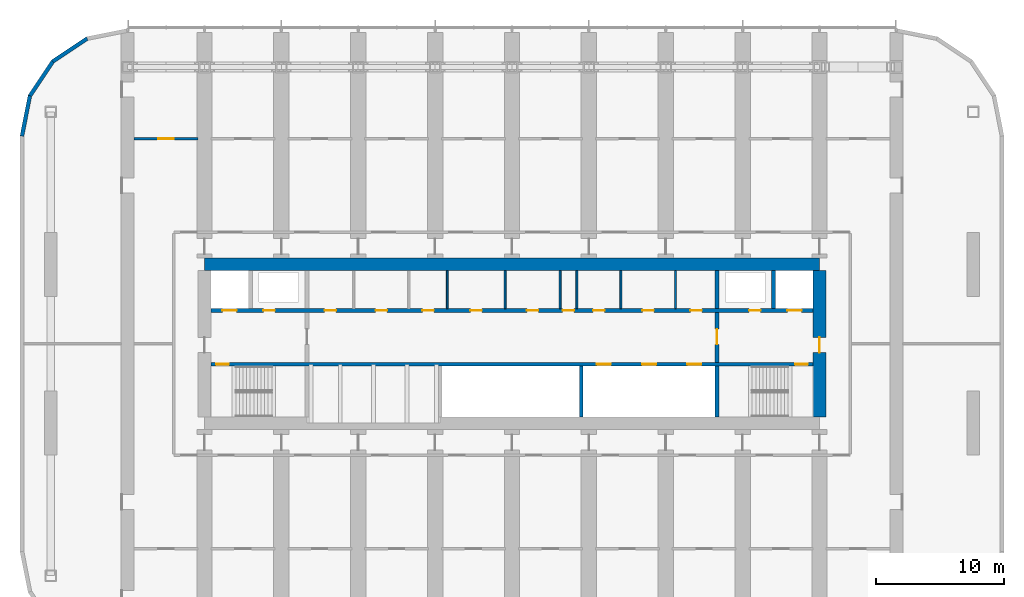
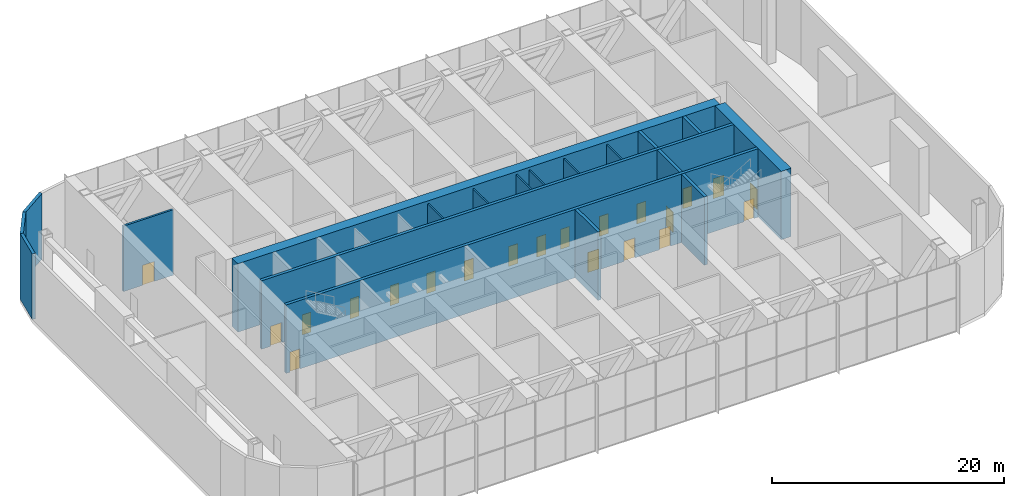
# One storey, part 12 of 24: 21 doors, 19 walls, 21 openings.
"""IFC4 building model written with IfcOpenShell, lengths in metres."""

import ifcopenshell
import ifcopenshell.guid

model = None  # the IFC model being written
_history = None  # IfcOwnerHistory: only IFC2X3 demands one
_inside = {}  # id of a spatial element -> (the spatial element, [elements in it])
_under = {}  # id of a project, library or spatial element -> (it, [spatial elements below it])
_declared = {}  # id of a project -> (the project, [libraries it declares])
_typed = {}  # id of a type object -> (the type object, [elements of that type])
_made_of = {}  # id of a material, layer set ... -> (it, [elements and type objects made of it])


def new_model(schema):
    """Start an empty IFC model of exactly this schema.

    Asked for "IFC4X3", IfcOpenShell would pick the latest addendum, in which some entities
    have other attributes; the version numbers below select the first issue.
    IFC2X3 requires an IfcOwnerHistory on every rooted entity: one is made here for all.
    """
    global model, _history
    if schema == "IFC4X3":
        model = ifcopenshell.file(schema_version=(4, 3, 0, 0))
    else:
        model = ifcopenshell.file(schema=schema)
    _inside.clear()
    _under.clear()
    _declared.clear()
    _typed.clear()
    _made_of.clear()
    _history = None
    if model.schema == "IFC2X3":
        org = make("IfcOrganization", Name="unknown")
        user = make(
            "IfcPersonAndOrganization",
            ThePerson=make("IfcPerson", FamilyName="unknown"),
            TheOrganization=org,
        )
        app = make(
            "IfcApplication",
            ApplicationDeveloper=org,
            Version="unknown",
            ApplicationFullName="unknown",
            ApplicationIdentifier="unknown",
        )
        _history = make(
            "IfcOwnerHistory",
            OwningUser=user,
            OwningApplication=app,
            ChangeAction="ADDED",
            CreationDate=0,
        )
    return model


def make(cls, **values):
    """One entity of the class cls with the attributes given. An attribute that is None is left unset."""
    return model.create_entity(
        cls, **{name: value for name, value in values.items() if value is not None}
    )


def rooted(cls, **values):
    """An entity with a GlobalId (a new one), such as an element, a storey or a relation."""
    return make(cls, GlobalId=ifcopenshell.guid.new(), OwnerHistory=_history, **values)


def si_unit(unit_type, name, prefix=None):
    """IfcSIUnit, for example si_unit("LENGTHUNIT", "METRE", prefix="MILLI")."""
    return make("IfcSIUnit", UnitType=unit_type, Prefix=prefix, Name=name)


def assignment(units):
    """IfcUnitAssignment: the units of a project."""
    return None if units is None else make("IfcUnitAssignment", Units=units)


def point(xyz):
    """IfcCartesianPoint."""
    return None if xyz is None else make("IfcCartesianPoint", Coordinates=xyz)


def direction(xyz):
    """IfcDirection."""
    return None if xyz is None else make("IfcDirection", DirectionRatios=xyz)


def frame(location, z_axis=None, x_axis=None):
    """IfcAxis2Placement3D, a coordinate frame: its origin and axes. An axis left out is left unset."""
    return make(
        "IfcAxis2Placement3D",
        Location=point(location),
        Axis=direction(z_axis),
        RefDirection=direction(x_axis),
    )


def frame_2d(location, x_axis=None):
    """IfcAxis2Placement2D, a coordinate frame in the plane: its origin and x axis."""
    return make(
        "IfcAxis2Placement2D", Location=point(location), RefDirection=direction(x_axis)
    )


def origin():
    """The frame at (0, 0, 0) with its axes left unset."""
    return frame((0.0, 0.0, 0.0))


def place(relative_to, where):
    """IfcLocalPlacement: puts the frame where relative to a parent placement (None: the world)."""
    return make(
        "IfcLocalPlacement", PlacementRelTo=relative_to, RelativePlacement=where
    )


def context(
    kind, dimensions, precision=None, world=None, true_north=None, identifier=None
):
    """IfcGeometricRepresentationContext, for example the 3D "Model" context."""
    return make(
        "IfcGeometricRepresentationContext",
        ContextIdentifier=identifier,
        ContextType=kind,
        CoordinateSpaceDimension=dimensions,
        Precision=precision,
        WorldCoordinateSystem=world,
        TrueNorth=true_north,
    )


def subcontext(parent, identifier, kind, view, scale=None):
    """IfcGeometricRepresentationSubContext, for example "Body" below "Model"."""
    return make(
        "IfcGeometricRepresentationSubContext",
        ContextIdentifier=identifier,
        ContextType=kind,
        ParentContext=parent,
        TargetScale=scale,
        TargetView=view,
    )


def project(units=None, contexts=None):
    """IfcProject with its units and contexts."""
    return rooted(
        "IfcProject",
        Name="project",
        RepresentationContexts=contexts,
        UnitsInContext=assignment(units),
    )


def spatial(cls, under=None, at=None, **own):
    """A site, building, storey or space (cls), placed at a placement, below another one or the project."""
    s = rooted(cls, ObjectPlacement=at, **own)
    if under is not None:
        _under.setdefault(under.id(), (under, []))[1].append(s)
    return s


def polyline(points):
    """IfcPolyline through the points."""
    return make("IfcPolyline", Points=[point(p) for p in points])


def profile(cls, at=None, kind="AREA", **sizes):
    """A parametric profile (cls). Its sizes go by their IFC names, for example OverallWidth=200.0."""
    return make(cls, ProfileType=kind, Position=at, **sizes)


def rectangle(**sizes):
    """IfcRectangleProfileDef."""
    return profile("IfcRectangleProfileDef", **sizes)


def outline(outer, holes=None, kind="AREA"):
    """IfcArbitraryClosedProfileDef: a profile drawn as a closed curve; with holes, ...WithVoids."""
    if holes is None:
        return make("IfcArbitraryClosedProfileDef", ProfileType=kind, OuterCurve=outer)
    return make(
        "IfcArbitraryProfileDefWithVoids",
        ProfileType=kind,
        OuterCurve=outer,
        InnerCurves=holes,
    )


def extrude(swept, where, along, depth):
    """IfcExtrudedAreaSolid: the profile swept, set in the frame where, extruded along a direction by depth."""
    return make(
        "IfcExtrudedAreaSolid",
        SweptArea=swept,
        Position=where,
        ExtrudedDirection=direction(along),
        Depth=depth,
    )


def shape(context_of_items, identifier, shape_type, items):
    """IfcShapeRepresentation: the items that make up one representation, for example the "Body"."""
    return make(
        "IfcShapeRepresentation",
        ContextOfItems=context_of_items,
        RepresentationIdentifier=identifier,
        RepresentationType=shape_type,
        Items=items,
    )


def material(Name=None, Category=None):
    """IfcMaterial."""
    return make("IfcMaterial", Name=Name, Category=Category)


def layer(
    of_material, thickness, ventilated=None, Name=None, Category=None, Priority=None
):
    """IfcMaterialLayer: one layer of a wall or slab, of a material (None: an air gap)."""
    return make(
        "IfcMaterialLayer",
        Material=of_material,
        LayerThickness=thickness,
        IsVentilated=ventilated,
        Name=Name,
        Category=Category,
        Priority=Priority,
    )


def layer_set(layers, Name=None):
    """IfcMaterialLayerSet."""
    return make("IfcMaterialLayerSet", MaterialLayers=layers, LayerSetName=Name)


def made_of(thing, what):
    """Note that an element or type object is made of a material, layer set ...; save() writes the relation."""
    if what is not None:
        _made_of.setdefault(what.id(), (what, []))[1].append(thing)
    return thing


def type_object(cls, material=None, **own):
    """A type object (cls), such as IfcWallType, which elements share."""
    return made_of(rooted(cls, **own), material)


def element(
    cls,
    number,
    at=None,
    inside=None,
    cuts=None,
    type_object=None,
    material=None,
    context=None,
    identifier="Body",
    shape_type=None,
    held_by="IfcProductDefinitionShape",
    body=None,
    shapes=None,
    **own,
):
    """One element of the class cls, such as IfcWall. Its Tag is "e" and its number.

    at: its placement. inside: the storey or other place that contains it. cuts: it is an
    opening in that element (IfcRelVoidsElement). A single representation is given by context,
    identifier, shape_type and body (its items); several are given by shapes. held_by: the class
    of the entity that holds the representations. save() writes the other relations.
    """
    e = rooted(cls, Tag="e%d" % number, ObjectPlacement=at, **own)
    if body is not None:
        shapes = [shape(context, identifier, shape_type, body)]
    if shapes is not None:
        e.Representation = make(held_by, Representations=shapes)
    if inside is not None:
        _inside.setdefault(inside.id(), (inside, []))[1].append(e)
    if cuts is not None:
        rooted(
            "IfcRelVoidsElement", RelatingBuildingElement=cuts, RelatedOpeningElement=e
        )
    if type_object is not None:
        _typed.setdefault(type_object.id(), (type_object, []))[1].append(e)
    return made_of(e, material)


def fill(opening, filler):
    """IfcRelFillsElement: the door or window that sits in an opening."""
    return rooted(
        "IfcRelFillsElement",
        RelatingOpeningElement=opening,
        RelatedBuildingElement=filler,
    )


def aggregate(whole, parts):
    """IfcRelAggregates: a whole, such as a stair, and the parts it consists of."""
    return rooted("IfcRelAggregates", RelatingObject=whole, RelatedObjects=parts)


def save(model, path):
    """Write the relations noted so far, then the file.

    IfcRelAggregates (storeys below a building ...), IfcRelContainedInSpatialStructure (elements
    in a storey), IfcRelDefinesByType, IfcRelAssociatesMaterial and IfcRelDeclares: one each for
    every whole, place, type object, material and project.
    """
    for whole, parts in _under.values():
        aggregate(whole, parts)
    for where, things in _inside.values():
        rooted(
            "IfcRelContainedInSpatialStructure",
            RelatedElements=things,
            RelatingStructure=where,
        )
    for kind, things in _typed.values():
        rooted("IfcRelDefinesByType", RelatedObjects=things, RelatingType=kind)
    for what, things in _made_of.values():
        rooted("IfcRelAssociatesMaterial", RelatedObjects=things, RelatingMaterial=what)
    for by, libraries in _declared.values():
        rooted("IfcRelDeclares", RelatingContext=by, RelatedDefinitions=libraries)
    model.write(path)


model = new_model("IFC4")

# Units and contexts
model_context = context("Model", 3, precision=1e-05, world=origin(), true_north=direction((0.0, 1.0)))
body_context = subcontext(model_context, "Body", "Model", "MODEL_VIEW")
ifc_project = project(units=[si_unit("LENGTHUNIT", "METRE"), si_unit("AREAUNIT", "SQUARE_METRE"), si_unit("VOLUMEUNIT", "CUBIC_METRE"), si_unit("PLANEANGLEUNIT", "RADIAN"), si_unit("MASSUNIT", "GRAM", prefix="KILO")], contexts=[model_context])

# Site, building, storey
site_placement = place(None, origin())
site = spatial("IfcSite", under=ifc_project, at=site_placement, CompositionType="ELEMENT")
building_placement = place(site_placement, origin())
building = spatial("IfcBuilding", under=site, at=building_placement, Name="Orbita Commons", CompositionType="ELEMENT")
storey_placement = place(building_placement, frame((0.0, 0.0, 68.949951171875)))
storey = spatial("IfcBuildingStorey", under=building, at=storey_placement, Name="L17", CompositionType="ELEMENT", Elevation=68.949951171875)

# Wall, openings, doors
ifc_material_1 = material(Name="Concrete C50/60", Category="concrete")
ifc_layer_1 = layer(ifc_material_1, 0.300048828125)
ifc_layer_set_1 = layer_set([ifc_layer_1], Name="Concrete C50/60")
wall_type_1 = type_object("IfcWallType", Name="Core inner wall 300 C50/60", PredefinedType="SHEAR", material=ifc_layer_set_1)
wall_1_placement = place(storey_placement, frame((18.5, 30.39990234375, 0.0), z_axis=(0.0, 0.0, 1.0), x_axis=(1.0, 0.0, 0.0)))
wall_1 = element("IfcWall", 1, at=wall_1_placement, inside=storey, type_object=wall_type_1, Name="Lobby wall south L17", PredefinedType="SHEAR", context=body_context, shape_type="SweptSolid", body=[
    extrude(rectangle(XDim=47.0, YDim=0.300048828125, at=frame_2d((23.5, 0.0))), origin(), (0.0, 0.0, 1.0), 7.199951171875),
])
opening_1_placement = place(wall_1_placement, frame((0.39990234375, 0.0, 0.0)))
opening_1 = element("IfcOpeningElement", 2, at=opening_1_placement, cuts=wall_1, Name="Opening D02", PredefinedType="OPENING", context=body_context, shape_type="SweptSolid", body=[
    extrude(rectangle(XDim=1.0, YDim=2.10009765625, at=frame_2d((0.5, 1.050048828125))), frame((0.0, 0.159912109375, 0.0), z_axis=(0.0, -1.0, 0.0), x_axis=(1.0, 0.0, 0.0)), (0.0, 0.0, 1.0), 0.320068359375),
])
opening_2_placement = place(wall_1_placement, frame((45.60009765625, 0.0, 0.0)))
opening_2 = element("IfcOpeningElement", 3, at=opening_2_placement, cuts=wall_1, Name="Opening D02", PredefinedType="OPENING", context=body_context, shape_type="SweptSolid", body=[
    extrude(rectangle(XDim=1.0, YDim=2.10009765625, at=frame_2d((0.5, 1.050048828125))), frame((0.0, 0.159912109375, 0.0), z_axis=(0.0, -1.0, 0.0), x_axis=(1.0, 0.0, 0.0)), (0.0, 0.0, 1.0), 0.320068359375),
])
opening_3_placement = place(wall_1_placement, frame((30.11669921875, 0.0, 0.0)))
opening_3 = element("IfcOpeningElement", 4, at=opening_3_placement, cuts=wall_1, Name="Opening LD02", PredefinedType="OPENING", context=body_context, shape_type="SweptSolid", body=[
    extrude(rectangle(XDim=1.10009765625, YDim=2.10009765625, at=frame_2d((0.550048828125, 1.050048828125))), frame((0.0, 0.159912109375, 0.0), z_axis=(0.0, -1.0, 0.0), x_axis=(1.0, 0.0, 0.0)), (0.0, 0.0, 1.0), 0.320068359375),
])
opening_4_placement = place(wall_1_placement, frame((33.64990234375, 0.0, 0.0)))
opening_4 = element("IfcOpeningElement", 5, at=opening_4_placement, cuts=wall_1, Name="Opening LD02", PredefinedType="OPENING", context=body_context, shape_type="SweptSolid", body=[
    extrude(rectangle(XDim=1.10009765625, YDim=2.10009765625, at=frame_2d((0.550048828125, 1.050048828125))), frame((0.0, 0.159912109375, 0.0), z_axis=(0.0, -1.0, 0.0), x_axis=(1.0, 0.0, 0.0)), (0.0, 0.0, 1.0), 0.320068359375),
])
opening_5_placement = place(wall_1_placement, frame((37.183349609375, 0.0, 0.0)))
opening_5 = element("IfcOpeningElement", 6, at=opening_5_placement, cuts=wall_1, Name="Opening LD02", PredefinedType="OPENING", context=body_context, shape_type="SweptSolid", body=[
    extrude(rectangle(XDim=1.10009765625, YDim=2.10009765625, at=frame_2d((0.550048828125, 1.050048828125))), frame((0.0, 0.159912109375, 0.0), z_axis=(0.0, -1.0, 0.0), x_axis=(1.0, 0.0, 0.0)), (0.0, 0.0, 1.0), 0.320068359375),
])
ifc_material_2 = material(Name="Steel-faced fire door leaf", Category="steel")
door_type_1 = type_object("IfcDoorType", Name="Fire door 90 min 1000x2100", OperationType="SINGLE_SWING_LEFT", PredefinedType="DOOR", material=ifc_material_2)
door_1_placement = place(opening_1_placement, origin())
door_1 = element("IfcDoor", 7, at=door_1_placement, inside=storey, type_object=door_type_1, Name="Stair S1 door", OperationType="SINGLE_SWING_LEFT", OverallHeight=2.10009765625, OverallWidth=1.0, PredefinedType="DOOR", context=body_context, shape_type="SweptSolid", body=[
    extrude(rectangle(XDim=1.0, YDim=2.10009765625, at=frame_2d((0.5, 1.050048828125))), frame((0.0, 0.02490234375, 0.0), z_axis=(0.0, -1.0, 0.0), x_axis=(1.0, 0.0, 0.0)), (0.0, 0.0, 1.0), 0.050048828125),
])
fill(opening_1, door_1)
door_2_placement = place(opening_2_placement, origin())
door_2 = element("IfcDoor", 8, at=door_2_placement, inside=storey, type_object=door_type_1, Name="Stair S2 door", OperationType="SINGLE_SWING_LEFT", OverallHeight=2.10009765625, OverallWidth=1.0, PredefinedType="DOOR", context=body_context, shape_type="SweptSolid", body=[
    extrude(rectangle(XDim=1.0, YDim=2.10009765625, at=frame_2d((0.5, 1.050048828125))), frame((0.0, 0.02490234375, 0.0), z_axis=(0.0, -1.0, 0.0), x_axis=(1.0, 0.0, 0.0)), (0.0, 0.0, 1.0), 0.050048828125),
])
fill(opening_2, door_2)
ifc_material_3 = material(Name="Steel-faced fire door leaf", Category="steel")
door_type_2 = type_object("IfcDoorType", Name="Lift landing door 1100x2100", OperationType="DOUBLE_DOOR_SLIDING", PredefinedType="DOOR", material=ifc_material_3)
door_3_placement = place(opening_3_placement, origin())
door_3 = element("IfcDoor", 9, at=door_3_placement, inside=storey, type_object=door_type_2, Name="Lift SV1 landing door", OperationType="DOUBLE_DOOR_SLIDING", OverallHeight=2.10009765625, OverallWidth=1.10009765625, PredefinedType="DOOR", context=body_context, shape_type="SweptSolid", body=[
    extrude(rectangle(XDim=1.10009765625, YDim=2.10009765625, at=frame_2d((0.550048828125, 1.050048828125))), frame((0.0, 0.02490234375, 0.0), z_axis=(0.0, -1.0, 0.0), x_axis=(1.0, 0.0, 0.0)), (0.0, 0.0, 1.0), 0.050048828125),
])
fill(opening_3, door_3)
door_4_placement = place(opening_4_placement, origin())
door_4 = element("IfcDoor", 10, at=door_4_placement, inside=storey, type_object=door_type_2, Name="Lift SV2 landing door", OperationType="DOUBLE_DOOR_SLIDING", OverallHeight=2.10009765625, OverallWidth=1.10009765625, PredefinedType="DOOR", context=body_context, shape_type="SweptSolid", body=[
    extrude(rectangle(XDim=1.10009765625, YDim=2.10009765625, at=frame_2d((0.550048828125, 1.050048828125))), frame((0.0, 0.02490234375, 0.0), z_axis=(0.0, -1.0, 0.0), x_axis=(1.0, 0.0, 0.0)), (0.0, 0.0, 1.0), 0.050048828125),
])
fill(opening_4, door_4)
door_5_placement = place(opening_5_placement, origin())
door_5 = element("IfcDoor", 11, at=door_5_placement, inside=storey, type_object=door_type_2, Name="Lift SV3 landing door", OperationType="DOUBLE_DOOR_SLIDING", OverallHeight=2.10009765625, OverallWidth=1.10009765625, PredefinedType="DOOR", context=body_context, shape_type="SweptSolid", body=[
    extrude(rectangle(XDim=1.10009765625, YDim=2.10009765625, at=frame_2d((0.550048828125, 1.050048828125))), frame((0.0, 0.02490234375, 0.0), z_axis=(0.0, -1.0, 0.0), x_axis=(1.0, 0.0, 0.0)), (0.0, 0.0, 1.0), 0.050048828125),
])
fill(opening_5, door_5)

wall_2_placement = place(storey_placement, frame((18.5, 34.60009765625, 0.0), z_axis=(0.0, 0.0, 1.0), x_axis=(1.0, 0.0, 0.0)))
wall_2 = element("IfcWall", 12, at=wall_2_placement, inside=storey, type_object=wall_type_1, Name="Lobby wall north L17", PredefinedType="SHEAR", context=body_context, shape_type="SweptSolid", body=[
    extrude(rectangle(XDim=47.0, YDim=0.300048828125, at=frame_2d((23.5, 0.0))), origin(), (0.0, 0.0, 1.0), 7.199951171875),
])
opening_6_placement = place(wall_2_placement, frame((0.89990234375, 0.0, 0.0)))
opening_6 = element("IfcOpeningElement", 13, at=opening_6_placement, cuts=wall_2, Name="Opening LD01", PredefinedType="OPENING", context=body_context, shape_type="SweptSolid", body=[
    extrude(rectangle(XDim=1.10009765625, YDim=2.10009765625, at=frame_2d((0.550048828125, 1.050048828125))), frame((0.0, 0.159912109375, 0.0), z_axis=(0.0, -1.0, 0.0), x_axis=(1.0, 0.0, 0.0)), (0.0, 0.0, 1.0), 0.320068359375),
])
opening_7_placement = place(wall_2_placement, frame((45.0, 0.0, 0.0)))
opening_7 = element("IfcOpeningElement", 14, at=opening_7_placement, cuts=wall_2, Name="Opening LD01", PredefinedType="OPENING", context=body_context, shape_type="SweptSolid", body=[
    extrude(rectangle(XDim=1.10009765625, YDim=2.10009765625, at=frame_2d((0.550048828125, 1.050048828125))), frame((0.0, 0.159912109375, 0.0), z_axis=(0.0, -1.0, 0.0), x_axis=(1.0, 0.0, 0.0)), (0.0, 0.0, 1.0), 0.320068359375),
])
opening_8_placement = place(wall_2_placement, frame((4.10009765625, 0.0, 0.0)))
opening_8 = element("IfcOpeningElement", 15, at=opening_8_placement, cuts=wall_2, Name="Opening D03", PredefinedType="OPENING", context=body_context, shape_type="SweptSolid", body=[
    extrude(rectangle(XDim=0.89990234375, YDim=2.10009765625, at=frame_2d((0.449951171875, 1.050048828125))), frame((0.0, 0.159912109375, 0.0), z_axis=(0.0, -1.0, 0.0), x_axis=(1.0, 0.0, 0.0)), (0.0, 0.0, 1.0), 0.320068359375),
])
opening_9_placement = place(wall_2_placement, frame((42.0, 0.0, 0.0)))
opening_9 = element("IfcOpeningElement", 16, at=opening_9_placement, cuts=wall_2, Name="Opening D03", PredefinedType="OPENING", context=body_context, shape_type="SweptSolid", body=[
    extrude(rectangle(XDim=0.89990234375, YDim=2.10009765625, at=frame_2d((0.449951171875, 1.050048828125))), frame((0.0, 0.159912109375, 0.0), z_axis=(0.0, -1.0, 0.0), x_axis=(1.0, 0.0, 0.0)), (0.0, 0.0, 1.0), 0.320068359375),
])
opening_10_placement = place(wall_2_placement, frame((8.87548828125, 0.0, 0.0)))
opening_10 = element("IfcOpeningElement", 17, at=opening_10_placement, cuts=wall_2, Name="Opening D05", PredefinedType="OPENING", context=body_context, shape_type="SweptSolid", body=[
    extrude(rectangle(XDim=0.89990234375, YDim=2.10009765625, at=frame_2d((0.449951171875, 1.050048828125))), frame((0.0, 0.159912109375, 0.0), z_axis=(0.0, -1.0, 0.0), x_axis=(1.0, 0.0, 0.0)), (0.0, 0.0, 1.0), 0.320068359375),
])
opening_11_placement = place(wall_2_placement, frame((12.8486328125, 0.0, 0.0)))
opening_11 = element("IfcOpeningElement", 18, at=opening_11_placement, cuts=wall_2, Name="Opening D03", PredefinedType="OPENING", context=body_context, shape_type="SweptSolid", body=[
    extrude(rectangle(XDim=0.89990234375, YDim=2.10009765625, at=frame_2d((0.449951171875, 1.050048828125))), frame((0.0, 0.159912109375, 0.0), z_axis=(0.0, -1.0, 0.0), x_axis=(1.0, 0.0, 0.0)), (0.0, 0.0, 1.0), 0.320068359375),
])
opening_12_placement = place(wall_2_placement, frame((16.496337890625, 0.0, 0.0)))
opening_12 = element("IfcOpeningElement", 19, at=opening_12_placement, cuts=wall_2, Name="Opening D03", PredefinedType="OPENING", context=body_context, shape_type="SweptSolid", body=[
    extrude(rectangle(XDim=0.89990234375, YDim=2.10009765625, at=frame_2d((0.449951171875, 1.050048828125))), frame((0.0, 0.159912109375, 0.0), z_axis=(0.0, -1.0, 0.0), x_axis=(1.0, 0.0, 0.0)), (0.0, 0.0, 1.0), 0.320068359375),
])
opening_13_placement = place(wall_2_placement, frame((20.254638671875, 0.0, 0.0)))
opening_13 = element("IfcOpeningElement", 20, at=opening_13_placement, cuts=wall_2, Name="Opening D03", PredefinedType="OPENING", context=body_context, shape_type="SweptSolid", body=[
    extrude(rectangle(XDim=0.89990234375, YDim=2.10009765625, at=frame_2d((0.449951171875, 1.050048828125))), frame((0.0, 0.159912109375, 0.0), z_axis=(0.0, -1.0, 0.0), x_axis=(1.0, 0.0, 0.0)), (0.0, 0.0, 1.0), 0.320068359375),
])
opening_14_placement = place(wall_2_placement, frame((24.66064453125, 0.0, 0.0)))
opening_14 = element("IfcOpeningElement", 21, at=opening_14_placement, cuts=wall_2, Name="Opening D03", PredefinedType="OPENING", context=body_context, shape_type="SweptSolid", body=[
    extrude(rectangle(XDim=0.89990234375, YDim=2.10009765625, at=frame_2d((0.449951171875, 1.050048828125))), frame((0.0, 0.159912109375, 0.0), z_axis=(0.0, -1.0, 0.0), x_axis=(1.0, 0.0, 0.0)), (0.0, 0.0, 1.0), 0.320068359375),
])
opening_15_placement = place(wall_2_placement, frame((27.45849609375, 0.0, 0.0)))
opening_15 = element("IfcOpeningElement", 22, at=opening_15_placement, cuts=wall_2, Name="Opening D03", PredefinedType="OPENING", context=body_context, shape_type="SweptSolid", body=[
    extrude(rectangle(XDim=0.89990234375, YDim=2.10009765625, at=frame_2d((0.449951171875, 1.050048828125))), frame((0.0, 0.159912109375, 0.0), z_axis=(0.0, -1.0, 0.0), x_axis=(1.0, 0.0, 0.0)), (0.0, 0.0, 1.0), 0.320068359375),
])
opening_16_placement = place(wall_2_placement, frame((29.830810546875, 0.0, 0.0)))
opening_16 = element("IfcOpeningElement", 23, at=opening_16_placement, cuts=wall_2, Name="Opening D03", PredefinedType="OPENING", context=body_context, shape_type="SweptSolid", body=[
    extrude(rectangle(XDim=0.89990234375, YDim=2.10009765625, at=frame_2d((0.449951171875, 1.050048828125))), frame((0.0, 0.159912109375, 0.0), z_axis=(0.0, -1.0, 0.0), x_axis=(1.0, 0.0, 0.0)), (0.0, 0.0, 1.0), 0.320068359375),
])
opening_17_placement = place(wall_2_placement, frame((33.680419921875, 0.0, 0.0)))
opening_17 = element("IfcOpeningElement", 24, at=opening_17_placement, cuts=wall_2, Name="Opening D05", PredefinedType="OPENING", context=body_context, shape_type="SweptSolid", body=[
    extrude(rectangle(XDim=0.89990234375, YDim=2.10009765625, at=frame_2d((0.449951171875, 1.050048828125))), frame((0.0, 0.159912109375, 0.0), z_axis=(0.0, -1.0, 0.0), x_axis=(1.0, 0.0, 0.0)), (0.0, 0.0, 1.0), 0.320068359375),
])
opening_18_placement = place(wall_2_placement, frame((37.428955078125, 0.0, 0.0)))
opening_18 = element("IfcOpeningElement", 25, at=opening_18_placement, cuts=wall_2, Name="Opening D03", PredefinedType="OPENING", context=body_context, shape_type="SweptSolid", body=[
    extrude(rectangle(XDim=0.89990234375, YDim=2.10009765625, at=frame_2d((0.449951171875, 1.050048828125))), frame((0.0, 0.159912109375, 0.0), z_axis=(0.0, -1.0, 0.0), x_axis=(1.0, 0.0, 0.0)), (0.0, 0.0, 1.0), 0.320068359375),
])
ifc_material_4 = material(Name="Steel-faced fire door leaf", Category="steel")
door_type_3 = type_object("IfcDoorType", Name="Firefighting lift landing door 1100x2100", OperationType="DOUBLE_DOOR_SLIDING", PredefinedType="DOOR", material=ifc_material_4)
door_6_placement = place(opening_6_placement, origin())
door_6 = element("IfcDoor", 26, at=door_6_placement, inside=storey, type_object=door_type_3, Name="Firefighting lift FL1 landing door", OperationType="DOUBLE_DOOR_SLIDING", OverallHeight=2.10009765625, OverallWidth=1.10009765625, PredefinedType="DOOR", context=body_context, shape_type="SweptSolid", body=[
    extrude(rectangle(XDim=1.10009765625, YDim=2.10009765625, at=frame_2d((0.550048828125, 1.050048828125))), frame((0.0, 0.02490234375, 0.0), z_axis=(0.0, -1.0, 0.0), x_axis=(1.0, 0.0, 0.0)), (0.0, 0.0, 1.0), 0.050048828125),
])
fill(opening_6, door_6)
door_7_placement = place(opening_7_placement, origin())
door_7 = element("IfcDoor", 27, at=door_7_placement, inside=storey, type_object=door_type_3, Name="Firefighting lift FL2 landing door", OperationType="DOUBLE_DOOR_SLIDING", OverallHeight=2.10009765625, OverallWidth=1.10009765625, PredefinedType="DOOR", context=body_context, shape_type="SweptSolid", body=[
    extrude(rectangle(XDim=1.10009765625, YDim=2.10009765625, at=frame_2d((0.550048828125, 1.050048828125))), frame((0.0, 0.02490234375, 0.0), z_axis=(0.0, -1.0, 0.0), x_axis=(1.0, 0.0, 0.0)), (0.0, 0.0, 1.0), 0.050048828125),
])
fill(opening_7, door_7)
ifc_material_5 = material(Name="Steel-faced fire door leaf", Category="steel")
door_type_4 = type_object("IfcDoorType", Name="Service door 20 min 900x2100", OperationType="SINGLE_SWING_LEFT", PredefinedType="DOOR", material=ifc_material_5)
door_8_placement = place(opening_10_placement, origin())
door_8 = element("IfcDoor", 28, at=door_8_placement, inside=storey, type_object=door_type_4, Name="Accessible WC door", OperationType="SINGLE_SWING_LEFT", OverallHeight=2.10009765625, OverallWidth=0.89990234375, PredefinedType="DOOR", context=body_context, shape_type="SweptSolid", body=[
    extrude(rectangle(XDim=0.89990234375, YDim=2.10009765625, at=frame_2d((0.449951171875, 1.050048828125))), frame((0.0, 0.02490234375, 0.0), z_axis=(0.0, -1.0, 0.0), x_axis=(1.0, 0.0, 0.0)), (0.0, 0.0, 1.0), 0.050048828125),
])
fill(opening_10, door_8)
door_9_placement = place(opening_17_placement, origin())
door_9 = element("IfcDoor", 29, at=door_9_placement, inside=storey, type_object=door_type_4, Name="Guest pantry door", OperationType="SINGLE_SWING_LEFT", OverallHeight=2.10009765625, OverallWidth=0.89990234375, PredefinedType="DOOR", context=body_context, shape_type="SweptSolid", body=[
    extrude(rectangle(XDim=0.89990234375, YDim=2.10009765625, at=frame_2d((0.449951171875, 1.050048828125))), frame((0.0, 0.02490234375, 0.0), z_axis=(0.0, -1.0, 0.0), x_axis=(1.0, 0.0, 0.0)), (0.0, 0.0, 1.0), 0.050048828125),
])
fill(opening_17, door_9)
ifc_material_6 = material(Name="Steel-faced fire door leaf", Category="steel")
door_type_5 = type_object("IfcDoorType", Name="Shaft access door 90 min 900x2100", OperationType="SINGLE_SWING_LEFT", PredefinedType="DOOR", material=ifc_material_6)
door_10_placement = place(opening_8_placement, origin())
door_10 = element("IfcDoor", 30, at=door_10_placement, inside=storey, type_object=door_type_5, Name="Riser door west", OperationType="SINGLE_SWING_LEFT", OverallHeight=2.10009765625, OverallWidth=0.89990234375, PredefinedType="DOOR", context=body_context, shape_type="SweptSolid", body=[
    extrude(rectangle(XDim=0.89990234375, YDim=2.10009765625, at=frame_2d((0.449951171875, 1.050048828125))), frame((0.0, 0.02490234375, 0.0), z_axis=(0.0, -1.0, 0.0), x_axis=(1.0, 0.0, 0.0)), (0.0, 0.0, 1.0), 0.050048828125),
])
fill(opening_8, door_10)
door_11_placement = place(opening_9_placement, origin())
door_11 = element("IfcDoor", 31, at=door_11_placement, inside=storey, type_object=door_type_5, Name="Riser door east", OperationType="SINGLE_SWING_LEFT", OverallHeight=2.10009765625, OverallWidth=0.89990234375, PredefinedType="DOOR", context=body_context, shape_type="SweptSolid", body=[
    extrude(rectangle(XDim=0.89990234375, YDim=2.10009765625, at=frame_2d((0.449951171875, 1.050048828125))), frame((0.0, 0.02490234375, 0.0), z_axis=(0.0, -1.0, 0.0), x_axis=(1.0, 0.0, 0.0)), (0.0, 0.0, 1.0), 0.050048828125),
])
fill(opening_9, door_11)
door_12_placement = place(opening_11_placement, origin())
door_12 = element("IfcDoor", 32, at=door_12_placement, inside=storey, type_object=door_type_5, Name="Refuse chute room door", OperationType="SINGLE_SWING_LEFT", OverallHeight=2.10009765625, OverallWidth=0.89990234375, PredefinedType="DOOR", context=body_context, shape_type="SweptSolid", body=[
    extrude(rectangle(XDim=0.89990234375, YDim=2.10009765625, at=frame_2d((0.449951171875, 1.050048828125))), frame((0.0, 0.02490234375, 0.0), z_axis=(0.0, -1.0, 0.0), x_axis=(1.0, 0.0, 0.0)), (0.0, 0.0, 1.0), 0.050048828125),
])
fill(opening_11, door_12)
door_13_placement = place(opening_12_placement, origin())
door_13 = element("IfcDoor", 33, at=door_13_placement, inside=storey, type_object=door_type_5, Name="Electrical riser room door", OperationType="SINGLE_SWING_LEFT", OverallHeight=2.10009765625, OverallWidth=0.89990234375, PredefinedType="DOOR", context=body_context, shape_type="SweptSolid", body=[
    extrude(rectangle(XDim=0.89990234375, YDim=2.10009765625, at=frame_2d((0.449951171875, 1.050048828125))), frame((0.0, 0.02490234375, 0.0), z_axis=(0.0, -1.0, 0.0), x_axis=(1.0, 0.0, 0.0)), (0.0, 0.0, 1.0), 0.050048828125),
])
fill(opening_12, door_13)
door_14_placement = place(opening_13_placement, origin())
door_14 = element("IfcDoor", 34, at=door_14_placement, inside=storey, type_object=door_type_5, Name="Storage room door", OperationType="SINGLE_SWING_LEFT", OverallHeight=2.10009765625, OverallWidth=0.89990234375, PredefinedType="DOOR", context=body_context, shape_type="SweptSolid", body=[
    extrude(rectangle(XDim=0.89990234375, YDim=2.10009765625, at=frame_2d((0.449951171875, 1.050048828125))), frame((0.0, 0.02490234375, 0.0), z_axis=(0.0, -1.0, 0.0), x_axis=(1.0, 0.0, 0.0)), (0.0, 0.0, 1.0), 0.050048828125),
])
fill(opening_13, door_14)
door_15_placement = place(opening_14_placement, origin())
door_15 = element("IfcDoor", 35, at=door_15_placement, inside=storey, type_object=door_type_5, Name="Communications room door", OperationType="SINGLE_SWING_LEFT", OverallHeight=2.10009765625, OverallWidth=0.89990234375, PredefinedType="DOOR", context=body_context, shape_type="SweptSolid", body=[
    extrude(rectangle(XDim=0.89990234375, YDim=2.10009765625, at=frame_2d((0.449951171875, 1.050048828125))), frame((0.0, 0.02490234375, 0.0), z_axis=(0.0, -1.0, 0.0), x_axis=(1.0, 0.0, 0.0)), (0.0, 0.0, 1.0), 0.050048828125),
])
fill(opening_14, door_15)
door_16_placement = place(opening_15_placement, origin())
door_16 = element("IfcDoor", 36, at=door_16_placement, inside=storey, type_object=door_type_5, Name="Stair pressurisation duct door", OperationType="SINGLE_SWING_LEFT", OverallHeight=2.10009765625, OverallWidth=0.89990234375, PredefinedType="DOOR", context=body_context, shape_type="SweptSolid", body=[
    extrude(rectangle(XDim=0.89990234375, YDim=2.10009765625, at=frame_2d((0.449951171875, 1.050048828125))), frame((0.0, 0.02490234375, 0.0), z_axis=(0.0, -1.0, 0.0), x_axis=(1.0, 0.0, 0.0)), (0.0, 0.0, 1.0), 0.050048828125),
])
fill(opening_15, door_16)
door_17_placement = place(opening_16_placement, origin())
door_17 = element("IfcDoor", 37, at=door_17_placement, inside=storey, type_object=door_type_5, Name="IT room door", OperationType="SINGLE_SWING_LEFT", OverallHeight=2.10009765625, OverallWidth=0.89990234375, PredefinedType="DOOR", context=body_context, shape_type="SweptSolid", body=[
    extrude(rectangle(XDim=0.89990234375, YDim=2.10009765625, at=frame_2d((0.449951171875, 1.050048828125))), frame((0.0, 0.02490234375, 0.0), z_axis=(0.0, -1.0, 0.0), x_axis=(1.0, 0.0, 0.0)), (0.0, 0.0, 1.0), 0.050048828125),
])
fill(opening_16, door_17)
door_18_placement = place(opening_18_placement, origin())
door_18 = element("IfcDoor", 38, at=door_18_placement, inside=storey, type_object=door_type_5, Name="Cleaners store door", OperationType="SINGLE_SWING_LEFT", OverallHeight=2.10009765625, OverallWidth=0.89990234375, PredefinedType="DOOR", context=body_context, shape_type="SweptSolid", body=[
    extrude(rectangle(XDim=0.89990234375, YDim=2.10009765625, at=frame_2d((0.449951171875, 1.050048828125))), frame((0.0, 0.02490234375, 0.0), z_axis=(0.0, -1.0, 0.0), x_axis=(1.0, 0.0, 0.0)), (0.0, 0.0, 1.0), 0.050048828125),
])
fill(opening_18, door_18)

# Wall
wall_3_placement = place(storey_placement, frame((58.0, 26.300048828125, 0.0), z_axis=(0.0, 0.0, 1.0), x_axis=(0.0, 1.0, 0.0)))
element("IfcWall", 39, at=wall_3_placement, inside=storey, type_object=wall_type_1, Name="Stair S2 wall L17", PredefinedType="SHEAR", context=body_context, shape_type="SweptSolid", body=[
    extrude(rectangle(XDim=3.949951171875, YDim=0.300048828125, at=frame_2d((1.97509765625, 0.0))), origin(), (0.0, 0.0, 1.0), 7.199951171875),
])

# Wall, opening, door
wall_4_placement = place(storey_placement, frame((58.0, 30.550048828125, 0.0), z_axis=(0.0, 0.0, 1.0), x_axis=(0.0, 1.0, 0.0)))
wall_4 = element("IfcWall", 40, at=wall_4_placement, inside=storey, type_object=wall_type_1, Name="Firefighting lobby wall east L17", PredefinedType="SHEAR", context=body_context, shape_type="SweptSolid", body=[
    extrude(rectangle(XDim=3.89990234375, YDim=0.300048828125, at=frame_2d((1.949951171875, 0.0))), origin(), (0.0, 0.0, 1.0), 7.199951171875),
])
opening_19_placement = place(wall_4_placement, frame((1.39990234375, 0.0, 0.0)))
opening_19 = element("IfcOpeningElement", 41, at=opening_19_placement, cuts=wall_4, Name="Opening D04", PredefinedType="OPENING", context=body_context, shape_type="SweptSolid", body=[
    extrude(rectangle(XDim=1.199951171875, YDim=2.10009765625, at=frame_2d((0.60009765625, 1.050048828125))), frame((0.0, 0.159912109375, 0.0), z_axis=(0.0, -1.0, 0.0), x_axis=(1.0, 0.0, 0.0)), (0.0, 0.0, 1.0), 0.320068359375),
])
ifc_material_7 = material(Name="Steel-faced fire door leaf", Category="steel")
door_type_6 = type_object("IfcDoorType", Name="Service door 20 min 1200x2100", OperationType="SINGLE_SWING_LEFT", PredefinedType="DOOR", material=ifc_material_7)
door_19_placement = place(opening_19_placement, origin())
door_19 = element("IfcDoor", 42, at=door_19_placement, inside=storey, type_object=door_type_6, Name="Lift lobby door east", OperationType="SINGLE_SWING_LEFT", OverallHeight=2.10009765625, OverallWidth=1.199951171875, PredefinedType="DOOR", context=body_context, shape_type="SweptSolid", body=[
    extrude(rectangle(XDim=1.199951171875, YDim=2.10009765625, at=frame_2d((0.60009765625, 1.050048828125))), frame((0.0, 0.02490234375, 0.0), z_axis=(0.0, -1.0, 0.0), x_axis=(1.0, 0.0, 0.0)), (0.0, 0.0, 1.0), 0.050048828125),
])
fill(opening_19, door_19)

# Walls
for number, where, z_axis, x_axis, name in (
    (43, (62.39990234375, 34.75, 0.0), (0.0, 0.0, 1.0), (0.0, 1.0, 0.0), "Firefighting lift FL2 shaft wall L17"),
    (44, (58.0, 34.75, 0.0), (0.0, 0.0, 1.0), (0.0, 1.0, 0.0), "Riser wall east L17"),
):
    element("IfcWall", number, at=place(storey_placement, frame(where, z_axis=z_axis, x_axis=x_axis)), inside=storey, type_object=wall_type_1, Name=name, PredefinedType="SHEAR", context=body_context, shape_type="SweptSolid", body=[
        extrude(rectangle(XDim=2.949951171875, YDim=0.300048828125, at=frame_2d((1.47509765625, 0.0))), origin(), (0.0, 0.0, 1.0), 7.199951171875),
    ])
wall_5_placement = place(storey_placement, frame((47.39990234375, 26.300048828125, 0.0), z_axis=(0.0, 0.0, 1.0), x_axis=(0.0, 1.0, 0.0)))
element("IfcWall", 45, at=wall_5_placement, inside=storey, type_object=wall_type_1, Name="Hoistway division wall L17", PredefinedType="SHEAR", context=body_context, shape_type="SweptSolid", body=[
    extrude(rectangle(XDim=3.949951171875, YDim=0.300048828125, at=frame_2d((1.97509765625, 0.0))), origin(), (0.0, 0.0, 1.0), 7.199951171875),
])
ifc_material_8 = material(Name="Concrete blockwork", Category="masonry")
ifc_layer_2 = layer(ifc_material_8, 0.14990234375)
ifc_layer_set_2 = layer_set([ifc_layer_2], Name="Concrete blockwork")
wall_type_2 = type_object("IfcWallType", Name="Core partition 150 blockwork", PredefinedType="SOLIDWALL", material=ifc_layer_set_2)
for number, where, z_axis, x_axis, name in (
    (46, (36.9462890625, 34.75, 0.0), (0.0, 0.0, 1.0), (0.0, 1.0, 0.0), "Core partition 150 blockwork L17"),
    (47, (41.463134765625, 34.75, 0.0), (0.0, 0.0, 1.0), (0.0, 1.0, 0.0), "Core partition 150 blockwork L17"),
    (48, (45.75830078125, 34.75, 0.0), (0.0, 0.0, 1.0), (0.0, 1.0, 0.0), "Core partition 150 blockwork L17"),
    (49, (47.058349609375, 34.75, 0.0), (0.0, 0.0, 1.0), (0.0, 1.0, 0.0), "Core partition 150 blockwork L17"),
    (50, (50.5029296875, 34.75, 0.0), (0.0, 0.0, 1.0), (0.0, 1.0, 0.0), "Core partition 150 blockwork L17"),
    (51, (54.758056640625, 34.75, 0.0), (0.0, 0.0, 1.0), (0.0, 1.0, 0.0), "Core partition 150 blockwork L17"),
):
    element("IfcWall", number, at=place(storey_placement, frame(where, z_axis=z_axis, x_axis=x_axis)), inside=storey, type_object=wall_type_2, Name=name, PredefinedType="SOLIDWALL", context=body_context, shape_type="SweptSolid", body=[
        extrude(rectangle(XDim=2.949951171875, YDim=0.14990234375, at=frame_2d((1.47509765625, 0.0))), origin(), (0.0, 0.0, 1.0), 6.900146484375),
    ])
ifc_material_9 = material(Name="Concrete C50/60", Category="concrete")
ifc_layer_3 = layer(ifc_material_9, 1.0)
ifc_layer_set_3 = layer_set([ifc_layer_3], Name="Concrete C50/60")
wall_type_3 = type_object("IfcWallType", Name="Core wall 1000 C50/60", PredefinedType="SHEAR", material=ifc_layer_set_3)
wall_6_placement = place(storey_placement, frame((18.0, 38.199951171875, 0.0), z_axis=(0.0, 0.0, 1.0), x_axis=(1.0, 0.0, 0.0)))
element("IfcWall", 52, at=wall_6_placement, inside=storey, type_object=wall_type_3, Name="Core spine wall north L17", PredefinedType="SHEAR", context=body_context, shape_type="SweptSolid", body=[
    extrude(rectangle(XDim=48.0, YDim=1.0, at=frame_2d((24.0, 0.0))), origin(), (0.0, 0.0, 1.0), 7.199951171875),
])

# Wall, opening, door
wall_7_placement = place(storey_placement, frame((66.0, 26.300048828125, 0.0), z_axis=(0.0, 0.0, 1.0), x_axis=(0.0, 1.0, 0.0)))
wall_7 = element("IfcWall", 53, at=wall_7_placement, inside=storey, type_object=wall_type_3, Name="Core end wall east L17", PredefinedType="SHEAR", context=body_context, shape_type="SweptSolid", body=[
    extrude(rectangle(XDim=11.39990234375, YDim=1.0, at=frame_2d((5.699951171875, 0.0))), origin(), (0.0, 0.0, 1.0), 7.199951171875),
])
opening_20_placement = place(wall_7_placement, frame((5.0, 0.0, 0.0)))
opening_20 = element("IfcOpeningElement", 54, at=opening_20_placement, cuts=wall_7, Name="Opening D01", PredefinedType="OPENING", context=body_context, shape_type="SweptSolid", body=[
    extrude(rectangle(XDim=1.199951171875, YDim=2.10009765625, at=frame_2d((0.60009765625, 1.050048828125))), frame((0.0, 0.510009765625, 0.0), z_axis=(0.0, -1.0, 0.0), x_axis=(1.0, 0.0, 0.0)), (0.0, 0.0, 1.0), 1.02001953125),
])
ifc_material_10 = material(Name="Steel-faced fire door leaf", Category="steel")
door_type_7 = type_object("IfcDoorType", Name="Fire door 90 min 1200x2100", OperationType="SINGLE_SWING_LEFT", PredefinedType="DOOR", material=ifc_material_10)
door_20_placement = place(opening_20_placement, origin())
door_20 = element("IfcDoor", 55, at=door_20_placement, inside=storey, type_object=door_type_7, Name="Firefighting lobby east door", OperationType="SINGLE_SWING_LEFT", OverallHeight=2.10009765625, OverallWidth=1.199951171875, PredefinedType="DOOR", context=body_context, shape_type="SweptSolid", body=[
    extrude(rectangle(XDim=1.199951171875, YDim=2.10009765625, at=frame_2d((0.60009765625, 1.050048828125))), frame((0.0, 0.02490234375, 0.0), z_axis=(0.0, -1.0, 0.0), x_axis=(1.0, 0.0, 0.0)), (0.0, 0.0, 1.0), 0.050048828125),
])
fill(opening_20, door_20)

ifc_material_11 = material(Name="Hollow concrete block 200", Category="concrete")
ifc_layer_4 = layer(ifc_material_11, 0.199951171875)
ifc_layer_set_4 = layer_set([ifc_layer_4], Name="Hollow concrete block 200")
wall_type_4 = type_object("IfcWallType", Name="Corridor wall 200 hollow concrete block", PredefinedType="SOLIDWALL", material=ifc_layer_set_4)
wall_8_placement = place(storey_placement, frame((12.5, 48.0, 0.0), z_axis=(0.0, 0.0, 1.0), x_axis=(1.0, 0.0, 0.0)))
wall_8 = element("IfcWall", 56, at=wall_8_placement, inside=storey, type_object=wall_type_4, Name="Corridor wall 200 hollow concrete block L17", PredefinedType="SOLIDWALL", context=body_context, shape_type="SweptSolid", body=[
    extrude(rectangle(XDim=5.0, YDim=0.199951171875, at=frame_2d((2.5, 0.0))), origin(), (0.0, 0.0, 1.0), 6.900146484375),
])
opening_21_placement = place(wall_8_placement, frame((1.89990234375, 0.0, 0.0)))
opening_21 = element("IfcOpeningElement", 57, at=opening_21_placement, cuts=wall_8, Name="Opening D01", PredefinedType="OPENING", context=body_context, shape_type="SweptSolid", body=[
    extrude(rectangle(XDim=1.199951171875, YDim=2.10009765625, at=frame_2d((0.60009765625, 1.050048828125))), frame((0.0, 0.10986328125, 0.0), z_axis=(0.0, -1.0, 0.0), x_axis=(1.0, 0.0, 0.0)), (0.0, 0.0, 1.0), 0.219970703125),
])
door_21_placement = place(opening_21_placement, origin())
door_21 = element("IfcDoor", 58, at=door_21_placement, inside=storey, type_object=door_type_7, Name="Plant room door L17", OperationType="SINGLE_SWING_LEFT", OverallHeight=2.10009765625, OverallWidth=1.199951171875, PredefinedType="DOOR", context=body_context, shape_type="SweptSolid", body=[
    extrude(rectangle(XDim=1.199951171875, YDim=2.10009765625, at=frame_2d((0.60009765625, 1.050048828125))), frame((0.0, 0.02490234375, 0.0), z_axis=(0.0, -1.0, 0.0), x_axis=(1.0, 0.0, 0.0)), (0.0, 0.0, 1.0), 0.050048828125),
])
fill(opening_21, door_21)

# Walls
ifc_material_12 = material(Name="Precast concrete C40/50, white board-marked finish", Category="concrete")
ifc_layer_5 = layer(ifc_material_12, 0.300048828125)
ifc_layer_set_5 = layer_set([ifc_layer_5], Name="Precast concrete C40/50, white board-marked finish")
wall_type_5 = type_object("IfcWallType", Name="Precast concrete end shield 300", PredefinedType="SOLIDWALL", material=ifc_layer_set_5)
wall_9_placement = place(storey_placement, frame((8.843017578125, 55.822021484375, 0.0), z_axis=(0.0, 0.0, 1.0), x_axis=(-0.831478105043, -0.555557522525, 0.0)))
element("IfcWall", 59, at=wall_9_placement, inside=storey, type_object=wall_type_5, Name="End shield NW chord 2 L17", PredefinedType="SOLIDWALL", context=body_context, shape_type="SweptSolid", body=[
    extrude(outline(polyline([(-0.02978515625, -0.14990234375), (3.248779296875, -0.14990234375), (3.189208984375, 0.14990234375), (0.02978515625, 0.14990234375), (-0.02978515625, -0.14990234375)])), origin(), (0.0, 0.0, 1.0), 6.900146484375),
])
wall_10_placement = place(storey_placement, frame((6.16650390625, 54.03369140625, 0.0), z_axis=(0.0, 0.0, 1.0), x_axis=(-0.555609954424, -0.831443069936, 0.0)))
element("IfcWall", 60, at=wall_10_placement, inside=storey, type_object=wall_type_5, Name="End shield NW chord 3 L17", PredefinedType="SOLIDWALL", context=body_context, shape_type="SweptSolid", body=[
    extrude(outline(polyline([(-0.02978515625, -0.14990234375), (3.2490234375, -0.14990234375), (3.189453125, 0.14990234375), (0.02978515625, 0.14990234375), (-0.02978515625, -0.14990234375)])), origin(), (0.0, 0.0, 1.0), 6.900146484375),
])
wall_11_placement = place(storey_placement, frame((4.3779296875, 51.357177734375, 0.0), z_axis=(0.0, 0.0, 1.0), x_axis=(-0.195065901187, -0.980790137692, 0.0)))
element("IfcWall", 61, at=wall_11_placement, inside=storey, type_object=wall_type_5, Name="End shield NW chord 4 L17", PredefinedType="SOLIDWALL", context=body_context, shape_type="SweptSolid", body=[
    extrude(outline(polyline([(-0.02978515625, -0.14990234375), (3.23388671875, -0.14990234375), (3.2041015625, 0.14990234375), (0.02978515625, 0.14990234375), (-0.02978515625, -0.14990234375)])), origin(), (0.0, 0.0, 1.0), 6.900146484375),
])

save(model, "model.ifc")
